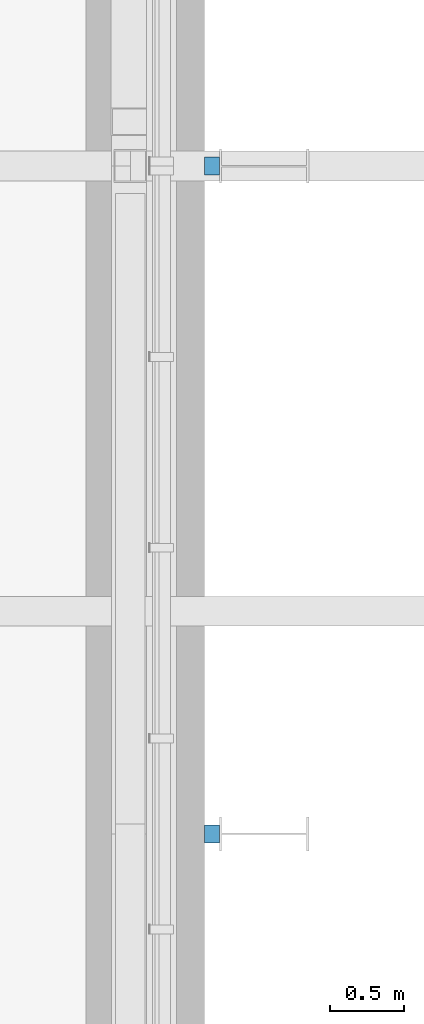
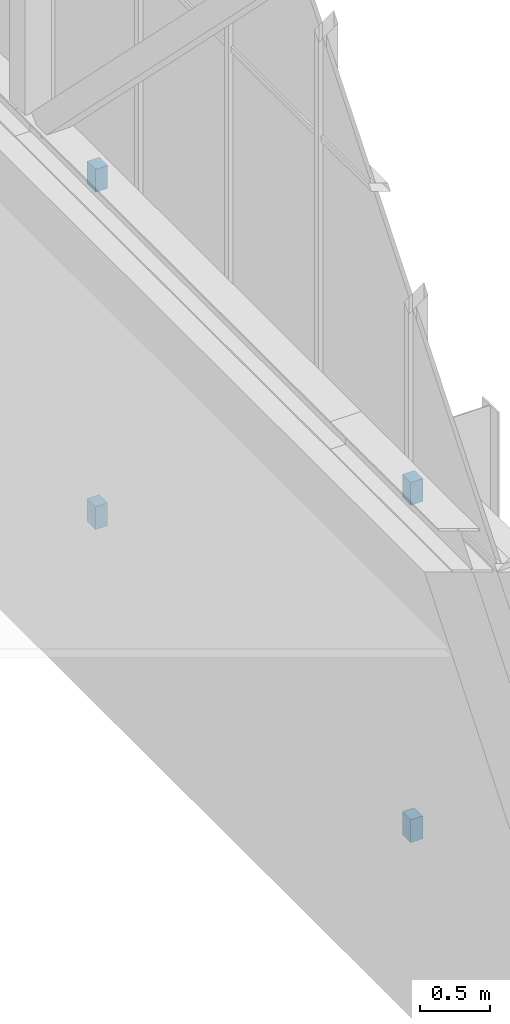
# One storey, part 216 of 646: 4 discrete accessories.
"""IFC4 building model written with IfcOpenShell, lengths in metres."""

from ifc_helpers import new_model, si_unit, direction, frame, origin, origin_2d, place, context, subcontext, project, spatial, rectangle, extrude, material, type_object, element, save


model = new_model("IFC4")

# Units and contexts
model_context = context("Model", 3, precision=1e-05, world=origin(), true_north=direction((0.0, 1.0)))
body_context = subcontext(model_context, "Body", "Model", "MODEL_VIEW")
ifc_project = project(units=[si_unit("LENGTHUNIT", "METRE"), si_unit("AREAUNIT", "SQUARE_METRE"), si_unit("VOLUMEUNIT", "CUBIC_METRE"), si_unit("PLANEANGLEUNIT", "RADIAN"), si_unit("MASSUNIT", "GRAM", prefix="KILO")], contexts=[model_context])

# Site, building, storey
site_placement = place(None, origin())
site = spatial("IfcSite", under=ifc_project, at=site_placement, CompositionType="ELEMENT")
building_placement = place(site_placement, origin())
building = spatial("IfcBuilding", under=site, at=building_placement, Name="Silverbay Arena", CompositionType="ELEMENT")
storey_placement = place(building_placement, frame((0.0, 0.0, 33.5)))
storey = spatial("IfcBuildingStorey", under=building, at=storey_placement, Name="L05", CompositionType="ELEMENT", Elevation=33.5)

# Discrete accessories
ifc_material = material(Name="Steel S355", Category="steel")
discrete_accessory_type = type_object("IfcDiscreteAccessoryType", Name="Steel bracket plate", PredefinedType="BRACKET", material=ifc_material)
for number, where, z_axis, x_axis, name in (
    (1, (207.550048828125, 58.5, 0.39990234375), (0.0, 0.0, 1.0), (1.0, 0.0, 0.0), "Fin bracket"),
    (2, (207.550048828125, 58.5, 3.33984375), (0.0, 0.0, 1.0), (1.0, 0.0, 0.0), "Fin bracket"),
    (3, (207.550048828125, 63.0, 0.39990234375), (0.0, 0.0, 1.0), (1.0, 0.0, 0.0), "Fin bracket"),
    (4, (207.550048828125, 63.0, 3.33984375), (0.0, 0.0, 1.0), (1.0, 0.0, 0.0), "Fin bracket"),
):
    element("IfcDiscreteAccessory", number, at=place(storey_placement, frame(where, z_axis=z_axis, x_axis=x_axis)), inside=storey, type_object=discrete_accessory_type, Name=name, PredefinedType="BRACKET", context=body_context, shape_type="SweptSolid", body=[
        extrude(rectangle(XDim=0.10009765625, YDim=0.1201171875, at=origin_2d()), origin(), (0.0, 0.0, 1.0), 0.199951171875),
    ])

save(model, "model.ifc")
